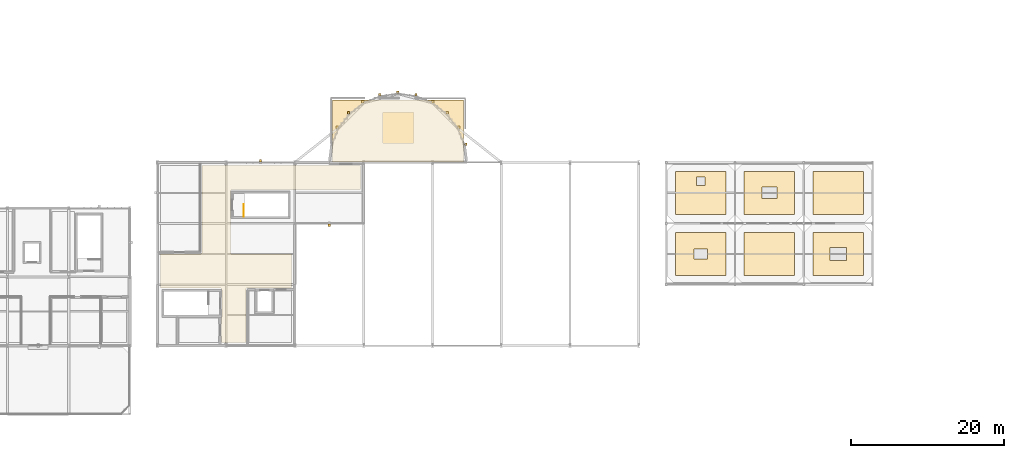
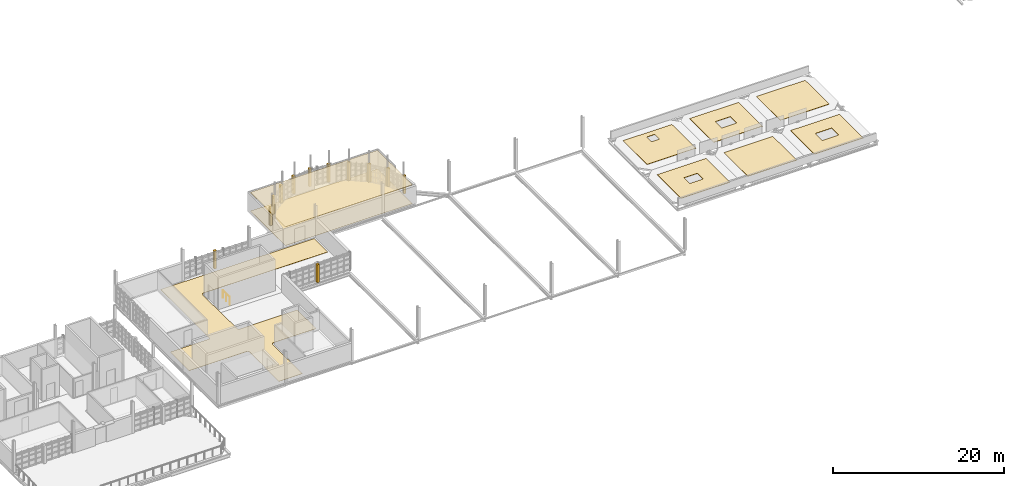
# One storey, part 43 of 44: 21 coverings, 1 railing.
"""IFC4 building model written with IfcOpenShell, lengths in metres."""

from ifc_helpers import new_model, si_unit, direction, frame, origin, origin_2d, place, context, subcontext, project, spatial, polyline, circle, outline, extrude, material, layer, layer_set, type_object, element, save


model = new_model("IFC4")

# Units and contexts
model_context = context("Model", 3, precision=1e-05, world=origin(), true_north=direction((0.0, 1.0)))
body_context = subcontext(model_context, "Body", "Model", "MODEL_VIEW")
ifc_project = project(units=[si_unit("LENGTHUNIT", "METRE"), si_unit("AREAUNIT", "SQUARE_METRE"), si_unit("VOLUMEUNIT", "CUBIC_METRE"), si_unit("PLANEANGLEUNIT", "RADIAN"), si_unit("MASSUNIT", "GRAM", prefix="KILO")], contexts=[model_context])

# Site, building, storey
site_placement = place(None, origin())
site = spatial("IfcSite", under=ifc_project, at=site_placement, CompositionType="ELEMENT")
building_placement = place(site_placement, origin())
building = spatial("IfcBuilding", under=site, at=building_placement, Name="Serraforn Aerial Cableway Station", CompositionType="ELEMENT")
storey_placement = place(building_placement, frame((0.0, 0.0, 13.800048828125)))
storey = spatial("IfcBuildingStorey", under=building, at=storey_placement, Name="L03", CompositionType="ELEMENT", Elevation=13.800048828125)

# Coverings
ifc_material_1 = material(Name="Fluted patinated bronze Art Deco pilaster cladding")
ifc_layer_1 = layer(ifc_material_1, 0.034912109375)
ifc_layer_set_1 = layer_set([ifc_layer_1], Name="Fluted patinated bronze Art Deco pilaster cladding")
covering_type_1 = type_object("IfcCoveringType", Name="COV-CLAD-BRZ", PredefinedType="CLADDING", material=ifc_layer_set_1)
covering_1_placement = place(storey_placement, origin())
element("IfcCovering", 1, at=covering_1_placement, inside=storey, type_object=covering_type_1, Name="Art Deco Bronze Pilaster Cladding CV-L03-S3", PredefinedType="CLADDING", context=body_context, shape_type="SweptSolid", body=[
    extrude(outline(polyline([(49.93994140625, 33.6201171875), (50.260009765625, 33.6201171875), (50.260009765625, 33.93994140625), (49.93994140625, 33.93994140625), (49.93994140625, 33.6201171875)])), origin(), (0.0, 0.0, 1.0), 2.550048828125),
])
covering_2_placement = place(storey_placement, origin())
element("IfcCovering", 2, at=covering_2_placement, inside=storey, type_object=covering_type_1, Name="Art Deco Bronze Pilaster Cladding CV-L03-N2", PredefinedType="CLADDING", context=body_context, shape_type="SweptSolid", body=[
    extrude(outline(polyline([(40.93994140625, 42.06005859375), (41.260009765625, 42.06005859375), (41.260009765625, 42.3798828125), (40.93994140625, 42.3798828125), (40.93994140625, 42.06005859375)])), origin(), (0.0, 0.0, 1.0), 2.550048828125),
])
covering_3_placement = place(storey_placement, origin())
element("IfcCovering", 3, at=covering_3_placement, inside=storey, type_object=covering_type_1, Name="Art Deco Bronze Pilaster Cladding AP-L03-R2", PredefinedType="CLADDING", context=body_context, shape_type="SweptSolid", body=[
    extrude(outline(polyline([(51.002685546875, 46.3994140625), (51.322509765625, 46.3994140625), (51.322509765625, 46.71923828125), (51.002685546875, 46.71923828125), (51.002685546875, 46.3994140625)])), origin(), (0.0, 0.0, 1.0), 2.550048828125),
])
covering_4_placement = place(storey_placement, origin())
element("IfcCovering", 4, at=covering_4_placement, inside=storey, type_object=covering_type_1, Name="Art Deco Bronze Pilaster Cladding AP-L03-R3", PredefinedType="CLADDING", context=body_context, shape_type="SweptSolid", body=[
    extrude(outline(polyline([(52.452880859375, 48.29833984375), (52.77294921875, 48.29833984375), (52.77294921875, 48.618408203125), (52.452880859375, 48.618408203125), (52.452880859375, 48.29833984375)])), origin(), (0.0, 0.0, 1.0), 2.550048828125),
])
covering_5_placement = place(storey_placement, origin())
element("IfcCovering", 5, at=covering_5_placement, inside=storey, type_object=covering_type_1, Name="Art Deco Bronze Pilaster Cladding AP-L03-R4", PredefinedType="CLADDING", context=body_context, shape_type="SweptSolid", body=[
    extrude(outline(polyline([(54.345703125, 49.757080078125), (54.66552734375, 49.757080078125), (54.66552734375, 50.0771484375), (54.345703125, 50.0771484375), (54.345703125, 49.757080078125)])), origin(), (0.0, 0.0, 1.0), 2.550048828125),
])
covering_6_placement = place(storey_placement, origin())
element("IfcCovering", 6, at=covering_6_placement, inside=storey, type_object=covering_type_1, Name="Art Deco Bronze Pilaster Cladding AP-L03-R5", PredefinedType="CLADDING", context=body_context, shape_type="SweptSolid", body=[
    extrude(outline(polyline([(56.55126953125, 50.676513671875), (56.871337890625, 50.676513671875), (56.871337890625, 50.99658203125), (56.55126953125, 50.99658203125), (56.55126953125, 50.676513671875)])), origin(), (0.0, 0.0, 1.0), 2.550048828125),
])
covering_7_placement = place(storey_placement, origin())
element("IfcCovering", 7, at=covering_7_placement, inside=storey, type_object=covering_type_1, Name="Art Deco Bronze Pilaster Cladding AP-L03-R6", PredefinedType="CLADDING", context=body_context, shape_type="SweptSolid", body=[
    extrude(outline(polyline([(58.919921875, 50.99365234375), (59.23974609375, 50.99365234375), (59.23974609375, 51.313720703125), (58.919921875, 51.313720703125), (58.919921875, 50.99365234375)])), origin(), (0.0, 0.0, 1.0), 2.550048828125),
])
covering_8_placement = place(storey_placement, origin())
element("IfcCovering", 8, at=covering_8_placement, inside=storey, type_object=covering_type_1, Name="Art Deco Bronze Pilaster Cladding AP-L03-R7", PredefinedType="CLADDING", context=body_context, shape_type="SweptSolid", body=[
    extrude(outline(polyline([(61.28955078125, 50.68701171875), (61.609619140625, 50.68701171875), (61.609619140625, 51.007080078125), (61.28955078125, 51.007080078125), (61.28955078125, 50.68701171875)])), origin(), (0.0, 0.0, 1.0), 2.550048828125),
])
covering_9_placement = place(storey_placement, origin())
element("IfcCovering", 9, at=covering_9_placement, inside=storey, type_object=covering_type_1, Name="Art Deco Bronze Pilaster Cladding AP-L03-R8", PredefinedType="CLADDING", context=body_context, shape_type="SweptSolid", body=[
    extrude(outline(polyline([(63.499267578125, 49.77734375), (63.8193359375, 49.77734375), (63.8193359375, 50.097412109375), (63.499267578125, 50.097412109375), (63.499267578125, 49.77734375)])), origin(), (0.0, 0.0, 1.0), 2.550048828125),
])
covering_10_placement = place(storey_placement, origin())
element("IfcCovering", 10, at=covering_10_placement, inside=storey, type_object=covering_type_1, Name="Art Deco Bronze Pilaster Cladding AP-L03-R9", PredefinedType="CLADDING", context=body_context, shape_type="SweptSolid", body=[
    extrude(outline(polyline([(65.3984375, 48.326904296875), (65.718505859375, 48.326904296875), (65.718505859375, 48.64697265625), (65.3984375, 48.64697265625), (65.3984375, 48.326904296875)])), origin(), (0.0, 0.0, 1.0), 2.550048828125),
])
covering_11_placement = place(storey_placement, origin())
element("IfcCovering", 11, at=covering_11_placement, inside=storey, type_object=covering_type_1, Name="Art Deco Bronze Pilaster Cladding AP-L03-R10", PredefinedType="CLADDING", context=body_context, shape_type="SweptSolid", body=[
    extrude(outline(polyline([(66.857177734375, 46.434326171875), (67.17724609375, 46.434326171875), (67.17724609375, 46.75439453125), (66.857177734375, 46.75439453125), (66.857177734375, 46.434326171875)])), origin(), (0.0, 0.0, 1.0), 2.550048828125),
])
covering_12_placement = place(storey_placement, origin())
element("IfcCovering", 12, at=covering_12_placement, inside=storey, type_object=covering_type_1, Name="Art Deco Bronze Pilaster Cladding AP-L03-R11", PredefinedType="CLADDING", context=body_context, shape_type="SweptSolid", body=[
    extrude(outline(polyline([(67.776611328125, 44.228759765625), (68.096435546875, 44.228759765625), (68.096435546875, 44.548583984375), (67.776611328125, 44.548583984375), (67.776611328125, 44.228759765625)])), origin(), (0.0, 0.0, 1.0), 2.550048828125),
])
ifc_material_2 = material(Name="Slatted Catalan chestnut acoustic ceiling")
ifc_layer_2 = layer(ifc_material_2, 0.034912109375)
ifc_layer_set_2 = layer_set([ifc_layer_2], Name="Slatted Catalan chestnut acoustic ceiling")
covering_type_2 = type_object("IfcCoveringType", Name="COV-CLG-WD", PredefinedType="CEILING", material=ifc_layer_set_2)
covering_13_placement = place(storey_placement, frame((0.0, 0.0, 2.659912109375)))
element("IfcCovering", 13, at=covering_13_placement, inside=storey, type_object=covering_type_2, Name="Suspended Ceiling L03-10", PredefinedType="CEILING", context=body_context, shape_type="SweptSolid", body=[
    extrude(outline(polyline([(50.52001953125, 42.02001953125), (50.52001953125, 50.179931640625), (67.679931640625, 50.179931640625), (67.679931640625, 42.02001953125), (50.52001953125, 42.02001953125)])), origin(), (0.0, 0.0, 1.0), 0.03515625),
])
ifc_material_3 = material(Name="Honed Montjuic limestone flooring", Category="masonry")
ifc_layer_3 = layer(ifc_material_3, 0.030029296875)
ifc_layer_set_3 = layer_set([ifc_layer_3], Name="Honed Montjuic limestone flooring")
covering_type_3 = type_object("IfcCoveringType", Name="COV-FLR-STN", PredefinedType="FLOORING", material=ifc_layer_set_3)
covering_14_placement = place(storey_placement, origin())
element("IfcCovering", 14, at=covering_14_placement, inside=storey, type_object=covering_type_3, Name="Flooring L03-09", PredefinedType="FLOORING", context=body_context, shape_type="SweptSolid", body=[
    extrude(outline(polyline([(36.02001953125, 21.73388671875), (36.02294921875, 21.73779296875), (36.033935546875, 21.75634765625), (36.043212890625, 21.77587890625), (36.050537109375, 21.796142578125), (36.055908203125, 21.817138671875), (36.058837890625, 21.83837890625), (36.06005859375, 21.860107421875), (36.06005859375, 25.199951171875), (36.058837890625, 25.2216796875), (36.055908203125, 25.242919921875), (36.050537109375, 25.263916015625), (36.043212890625, 25.2841796875), (36.033935546875, 25.3037109375), (36.02294921875, 25.322265625), (36.02001953125, 25.326171875), (36.02001953125, 25.35009765625), (36.018798828125, 25.37158203125), (36.015869140625, 25.392822265625), (36.010498046875, 25.413818359375), (36.00341796875, 25.43408203125), (35.993896484375, 25.45361328125), (35.98291015625, 25.47216796875), (35.97021484375, 25.489501953125), (35.95556640625, 25.505615234375), (35.939697265625, 25.52001953125), (35.922119140625, 25.532958984375), (35.90380859375, 25.5439453125), (35.88427734375, 25.55322265625), (35.864013671875, 25.560546875), (35.843017578125, 25.56591796875), (35.821533203125, 25.56884765625), (35.800048828125, 25.570068359375), (28.02001953125, 25.570068359375), (28.02001953125, 29.97998046875), (33.199951171875, 29.97998046875), (33.2216796875, 29.981201171875), (33.242919921875, 29.984130859375), (33.263916015625, 29.989501953125), (33.2841796875, 29.99658203125), (33.3037109375, 30.006103515625), (33.322265625, 30.01708984375), (33.339599609375, 30.02978515625), (33.355712890625, 30.04443359375), (33.3701171875, 30.060302734375), (33.3828125, 30.077880859375), (33.39404296875, 30.09619140625), (33.4033203125, 30.11572265625), (33.410400390625, 30.135986328125), (33.415771484375, 30.156982421875), (33.4189453125, 30.178466796875), (33.419921875, 30.199951171875), (33.419921875, 41.580078125), (54.179931640625, 41.580078125), (54.179931640625, 38.419921875), (37.39990234375, 38.419921875), (37.37841796875, 38.4189453125), (37.357177734375, 38.415771484375), (37.336181640625, 38.410400390625), (37.31591796875, 38.4033203125), (37.29638671875, 38.39404296875), (37.27783203125, 38.3828125), (37.260498046875, 38.3701171875), (37.244384765625, 38.355712890625), (37.22998046875, 38.339599609375), (37.217041015625, 38.322265625), (37.2060546875, 38.3037109375), (37.19677734375, 38.2841796875), (37.189453125, 38.263916015625), (37.18408203125, 38.242919921875), (37.18212890625, 38.22900390625), (37.177001953125, 38.22216796875), (37.166015625, 38.20361328125), (37.15673828125, 38.18408203125), (37.1494140625, 38.163818359375), (37.144287109375, 38.142822265625), (37.14111328125, 38.12158203125), (37.139892578125, 38.10009765625), (37.139892578125, 34.760009765625), (37.14111328125, 34.73828125), (37.144287109375, 34.717041015625), (37.1494140625, 34.696044921875), (37.15673828125, 34.67578125), (37.166015625, 34.65625), (37.177001953125, 34.6376953125), (37.179931640625, 34.6337890625), (37.179931640625, 30.199951171875), (37.18115234375, 30.178466796875), (37.18408203125, 30.156982421875), (37.189453125, 30.135986328125), (37.19677734375, 30.11572265625), (37.2060546875, 30.09619140625), (37.217041015625, 30.077880859375), (37.22998046875, 30.060302734375), (37.244384765625, 30.04443359375), (37.260498046875, 30.02978515625), (37.27783203125, 30.01708984375), (37.29638671875, 30.006103515625), (37.31591796875, 29.99658203125), (37.336181640625, 29.989501953125), (37.357177734375, 29.984130859375), (37.37841796875, 29.981201171875), (37.39990234375, 29.97998046875), (45.179931640625, 29.97998046875), (45.179931640625, 25.570068359375), (39.39990234375, 25.570068359375), (39.37841796875, 25.56884765625), (39.357177734375, 25.56591796875), (39.336181640625, 25.560546875), (39.31591796875, 25.55322265625), (39.29638671875, 25.5439453125), (39.27783203125, 25.532958984375), (39.260498046875, 25.52001953125), (39.244384765625, 25.505615234375), (39.22998046875, 25.489501953125), (39.217041015625, 25.47216796875), (39.2060546875, 25.45361328125), (39.19677734375, 25.43408203125), (39.189453125, 25.413818359375), (39.18408203125, 25.392822265625), (39.18115234375, 25.37158203125), (39.179931640625, 25.35009765625), (39.179931640625, 18.419921875), (36.02001953125, 18.419921875), (36.02001953125, 21.73388671875)])), origin(), (0.0, 0.0, 1.0), 0.030029296875),
])
ifc_material_4 = material(Name="Catalan oak parquet flooring")
ifc_layer_4 = layer(ifc_material_4, 0.02197265625)
ifc_layer_set_4 = layer_set([ifc_layer_4], Name="Catalan oak parquet flooring")
covering_type_4 = type_object("IfcCoveringType", Name="COV-FLR-WD", PredefinedType="FLOORING", material=ifc_layer_set_4)
covering_15_placement = place(storey_placement, origin())
element("IfcCovering", 15, at=covering_15_placement, inside=storey, type_object=covering_type_4, Name="Flooring L03-10", PredefinedType="FLOORING", context=body_context, shape_type="SweptSolid", body=[
    extrude(outline(polyline([(50.52001953125, 42.02001953125), (50.52001953125, 50.179931640625), (67.679931640625, 50.179931640625), (67.679931640625, 42.02001953125), (50.52001953125, 42.02001953125)])), origin(), (0.0, 0.0, 1.0), 0.02197265625),
])
ifc_material_5 = material(Name="Standing-seam patinated copper roofing")
ifc_layer_5 = layer(ifc_material_5, 0.0400390625)
ifc_layer_set_5 = layer_set([ifc_layer_5], Name="Standing-seam patinated copper roofing")
covering_type_5 = type_object("IfcCoveringType", Name="COV-ROOF-COP", PredefinedType="ROOFING", material=ifc_layer_set_5)
covering_16_placement = place(storey_placement, origin())
element("IfcCovering", 16, at=covering_16_placement, inside=storey, type_object=covering_type_5, Name="Roof Covering EL-L03-1-1", PredefinedType="ROOFING", context=body_context, shape_type="SweptSolid", body=[
    extrude(outline(polyline([(95.39990234375, 27.199951171875), (102.0, 27.199951171875), (102.0, 32.800048828125), (95.39990234375, 32.800048828125), (95.39990234375, 27.199951171875)]), holes=[polyline([(97.800048828125, 29.324951171875), (99.60009765625, 29.324951171875), (99.60009765625, 30.675048828125), (97.800048828125, 30.675048828125), (97.800048828125, 29.324951171875)])]), origin(), (0.0, 0.0, 1.0), 0.0400390625),
])
covering_17_placement = place(storey_placement, origin())
element("IfcCovering", 17, at=covering_17_placement, inside=storey, type_object=covering_type_5, Name="Roof Covering EL-L03-1-2", PredefinedType="ROOFING", context=body_context, shape_type="SweptSolid", body=[
    extrude(outline(polyline([(95.39990234375, 35.199951171875), (102.0, 35.199951171875), (102.0, 40.800048828125), (95.39990234375, 40.800048828125), (95.39990234375, 35.199951171875)]), holes=[polyline([(98.14990234375, 38.949951171875), (99.25, 38.949951171875), (99.25, 40.050048828125), (98.14990234375, 40.050048828125), (98.14990234375, 38.949951171875)])]), origin(), (0.0, 0.0, 1.0), 0.0400390625),
])
covering_18_placement = place(storey_placement, origin())
element("IfcCovering", 18, at=covering_18_placement, inside=storey, type_object=covering_type_5, Name="Roof Covering EL-L03-2-1", PredefinedType="ROOFING", context=body_context, shape_type="SweptSolid", body=[
    extrude(outline(polyline([(104.39990234375, 27.199951171875), (111.0, 27.199951171875), (111.0, 32.800048828125), (104.39990234375, 32.800048828125), (104.39990234375, 27.199951171875)])), origin(), (0.0, 0.0, 1.0), 0.0400390625),
])
covering_19_placement = place(storey_placement, origin())
element("IfcCovering", 19, at=covering_19_placement, inside=storey, type_object=covering_type_5, Name="Roof Covering EL-L03-2-2", PredefinedType="ROOFING", context=body_context, shape_type="SweptSolid", body=[
    extrude(outline(polyline([(104.39990234375, 35.199951171875), (111.0, 35.199951171875), (111.0, 40.800048828125), (104.39990234375, 40.800048828125), (104.39990234375, 35.199951171875)]), holes=[polyline([(106.699951171875, 37.25), (108.699951171875, 37.25), (108.699951171875, 38.75), (106.699951171875, 38.75), (106.699951171875, 37.25)])]), origin(), (0.0, 0.0, 1.0), 0.0400390625),
])
covering_20_placement = place(storey_placement, origin())
element("IfcCovering", 20, at=covering_20_placement, inside=storey, type_object=covering_type_5, Name="Roof Covering EL-L03-3-1", PredefinedType="ROOFING", context=body_context, shape_type="SweptSolid", body=[
    extrude(outline(polyline([(113.39990234375, 27.199951171875), (120.0, 27.199951171875), (120.0, 32.800048828125), (113.39990234375, 32.800048828125), (113.39990234375, 27.199951171875)]), holes=[polyline([(115.60009765625, 29.175048828125), (117.800048828125, 29.175048828125), (117.800048828125, 30.824951171875), (115.60009765625, 30.824951171875), (115.60009765625, 29.175048828125)])]), origin(), (0.0, 0.0, 1.0), 0.0400390625),
])
covering_21_placement = place(storey_placement, origin())
element("IfcCovering", 21, at=covering_21_placement, inside=storey, type_object=covering_type_5, Name="Roof Covering EL-L03-3-2", PredefinedType="ROOFING", context=body_context, shape_type="SweptSolid", body=[
    extrude(outline(polyline([(113.39990234375, 35.199951171875), (120.0, 35.199951171875), (120.0, 40.800048828125), (113.39990234375, 40.800048828125), (113.39990234375, 35.199951171875)])), origin(), (0.0, 0.0, 1.0), 0.0400390625),
])

# Railing
ifc_material_6 = material(Name="Patinated bronze stair guardrail")
ifc_layer_6 = layer(ifc_material_6, 0.050048828125)
ifc_layer_set_6 = layer_set([ifc_layer_6], Name="Patinated bronze stair guardrail")
railing_type = type_object("IfcRailingType", Name="RL-STR-GRD", PredefinedType="GUARDRAIL", material=ifc_layer_set_6)
railing_placement = place(storey_placement, frame((38.89990234375, 34.89990234375, 0.0)))
element("IfcRailing", 22, at=railing_placement, inside=storey, type_object=railing_type, Name="L03 ST-04 top well guard 1", PredefinedType="GUARDRAIL", context=body_context, shape_type="SweptSolid", body=[
    extrude(circle(Radius=0.02392578125, at=origin_2d()), frame((0.0, 0.0, 1.076171875), z_axis=(0.0, 1.0, 0.0), x_axis=(-1.0, 0.0, 0.0)), (0.0, 0.0, 1.0), 1.610107421875),
    extrude(circle(Radius=0.02099609375, at=origin_2d()), origin(), (0.0, 0.0, 1.0), 1.052001953125),
    extrude(circle(Radius=0.02099609375, at=origin_2d()), frame((0.0, 0.80517578125, 0.0)), (0.0, 0.0, 1.0), 1.052001953125),
    extrude(circle(Radius=0.02099609375, at=origin_2d()), frame((0.0, 1.610107421875, 0.0)), (0.0, 0.0, 1.0), 1.052001953125),
])

save(model, "model.ifc")
